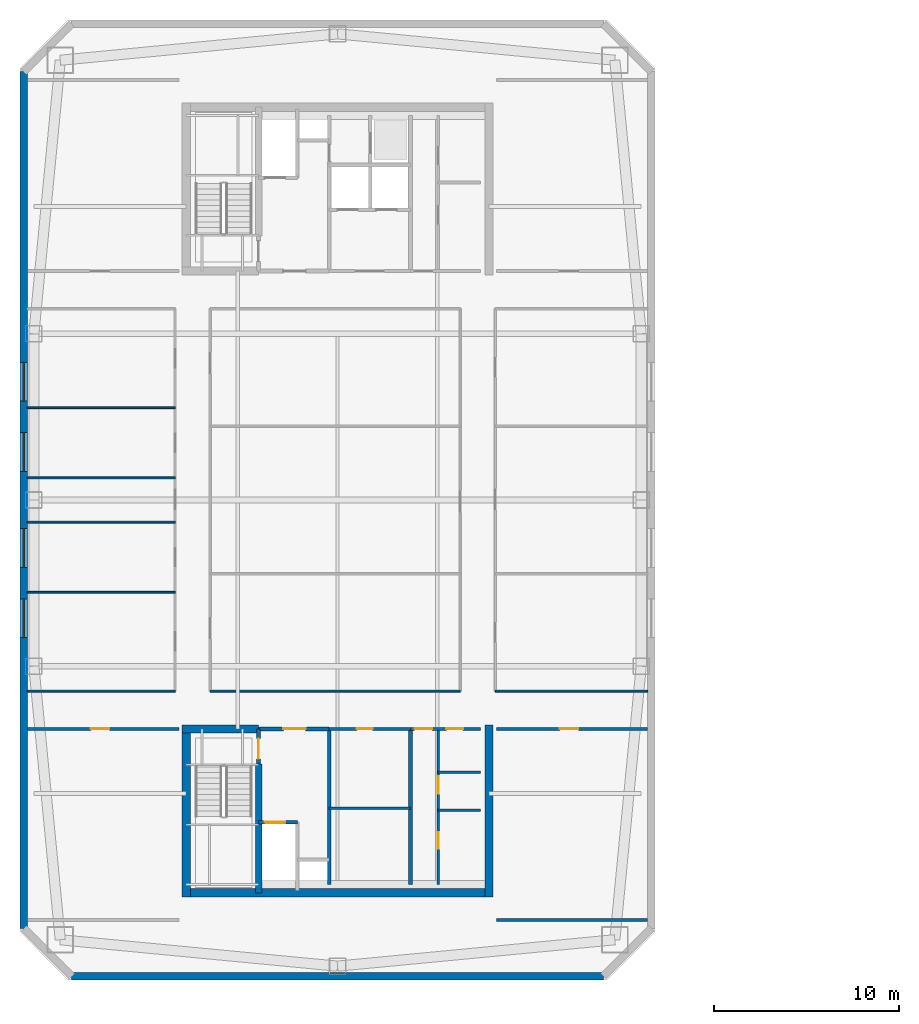
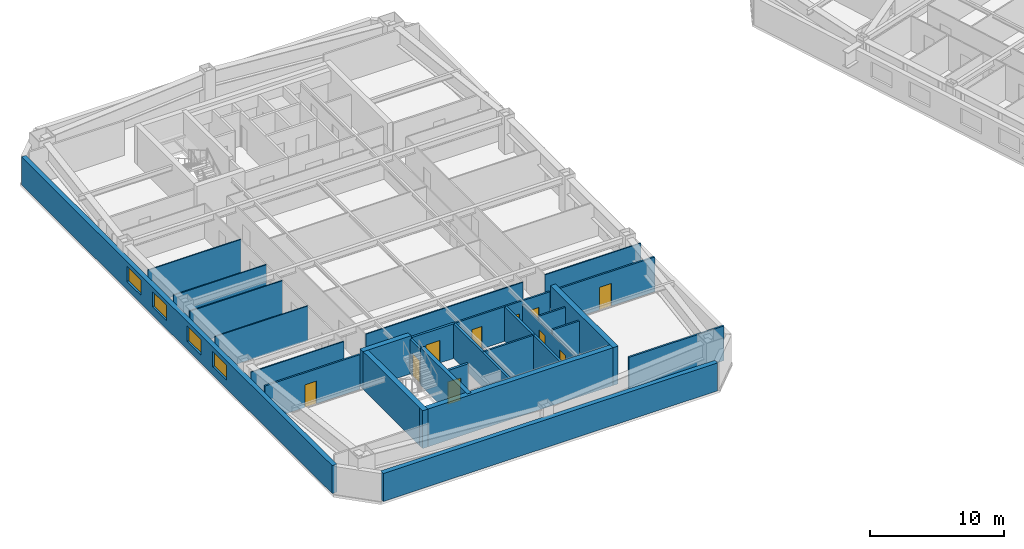
# One storey, part 6 of 15: 28 walls, 10 doors, 4 windows, 14 openings.
"""IFC4 building model written with IfcOpenShell, lengths in metres."""

from ifc_helpers import new_model, si_unit, direction, frame, frame_2d, origin, place, context, subcontext, project, spatial, rectangle, extrude, material, layer, layer_set, type_object, element, fill, save


model = new_model("IFC4")

# Units and contexts
model_context = context("Model", 3, precision=1e-05, world=origin(), true_north=direction((0.0, 1.0)))
body_context = subcontext(model_context, "Body", "Model", "MODEL_VIEW")
ifc_project = project(units=[si_unit("LENGTHUNIT", "METRE"), si_unit("AREAUNIT", "SQUARE_METRE"), si_unit("VOLUMEUNIT", "CUBIC_METRE"), si_unit("PLANEANGLEUNIT", "RADIAN"), si_unit("MASSUNIT", "GRAM", prefix="KILO")], contexts=[model_context])

# Site, building, storey
site_placement = place(None, origin())
site = spatial("IfcSite", under=ifc_project, at=site_placement, CompositionType="ELEMENT")
building_placement = place(site_placement, origin())
building = spatial("IfcBuilding", under=site, at=building_placement, Name="Qiaolan Cultural Towers", CompositionType="ELEMENT")
storey_placement = place(building_placement, frame((0.0, 0.0, 212.75)))
storey = spatial("IfcBuildingStorey", under=building, at=storey_placement, Name="L57", CompositionType="ELEMENT", Elevation=212.75)

# Walls
ifc_material_1 = material(Name="Concrete C50", Category="concrete")
ifc_layer_1 = layer(ifc_material_1, 0.35009765625)
ifc_layer_set_1 = layer_set([ifc_layer_1], Name="Concrete C50")
wall_type_1 = type_object("IfcWallType", Name="WL-CORE-350", PredefinedType="SHEAR", material=ifc_layer_set_1)
wall_1_placement = place(storey_placement, frame((25.719970703125, 19.699951171875, 0.0), z_axis=(0.0, 0.0, 1.0), x_axis=(0.0, -1.0, 0.0)))
element("IfcWall", 1, at=wall_1_placement, inside=storey, type_object=wall_type_1, Name="L57 T1-CS Stair Core Dividing Web", PredefinedType="SHEAR", context=body_context, shape_type="SweptSolid", body=[
    extrude(rectangle(XDim=6.97998046875, YDim=0.35009765625, at=frame_2d((3.489990234375, 0.0))), origin(), (0.0, 0.0, 1.0), 3.449951171875),
])
ifc_material_2 = material(Name="Concrete C50", Category="concrete")
ifc_layer_2 = layer(ifc_material_2, 0.449951171875)
ifc_layer_set_2 = layer_set([ifc_layer_2], Name="Concrete C50")
wall_type_2 = type_object("IfcWallType", Name="WL-CORE-450", PredefinedType="SHEAR", material=ifc_layer_set_2)
wall_2_placement = place(storey_placement, frame((21.574951171875, 12.719970703125, 0.0), z_axis=(0.0, 0.0, 1.0), x_axis=(1.0, 0.0, 0.0)))
element("IfcWall", 2, at=wall_2_placement, inside=storey, type_object=wall_type_2, Name="L57 T1-CS Outer Core Shear Wall", PredefinedType="SHEAR", context=body_context, shape_type="SweptSolid", body=[
    extrude(rectangle(XDim=16.85009765625, YDim=0.449951171875, at=frame_2d((8.425048828125, 0.0))), origin(), (0.0, 0.0, 1.0), 3.449951171875),
])
for number, where, z_axis, x_axis, name in (
    (3, (21.800048828125, 21.824951171875, 0.0), (0.0, 0.0, 1.0), (0.0, -1.0, 0.0), "L57 T1-CS West Core Shear Wall"),
    (4, (38.199951171875, 21.824951171875, 0.0), (0.0, 0.0, 1.0), (0.0, -1.0, 0.0), "L57 T1-CS East Core Shear Wall"),
):
    element("IfcWall", number, at=place(storey_placement, frame(where, z_axis=z_axis, x_axis=x_axis)), inside=storey, type_object=wall_type_2, Name=name, PredefinedType="SHEAR", context=body_context, shape_type="SweptSolid", body=[
        extrude(rectangle(XDim=9.329833984375, YDim=0.449951171875, at=frame_2d((4.6650390625, 0.0))), origin(), (0.0, 0.0, 1.0), 3.449951171875),
    ])
wall_3_placement = place(storey_placement, frame((21.574951171875, 21.60009765625, 0.0), z_axis=(0.0, 0.0, 1.0), x_axis=(1.0, 0.0, 0.0)))
element("IfcWall", 5, at=wall_3_placement, inside=storey, type_object=wall_type_2, Name="L57 T1-CS Stair Front Shear Wall", PredefinedType="SHEAR", context=body_context, shape_type="SweptSolid", body=[
    extrude(rectangle(XDim=4.14501953125, YDim=0.449951171875, at=frame_2d((2.072509765625, 0.0))), origin(), (0.0, 0.0, 1.0), 3.449951171875),
])

# Wall, openings, windows
ifc_material_3 = material(Name="Precast Concrete C50 Honed Stone Pier", Category="masonry")
ifc_layer_3 = layer(ifc_material_3, 0.39990234375)
ifc_layer_set_3 = layer_set([ifc_layer_3], Name="Precast Concrete C50 Honed Stone Pier")
wall_type_3 = type_object("IfcWallType", Name="WL-EXT-PIER-400", PredefinedType="SOLIDWALL", material=ifc_layer_set_3)
wall_4_placement = place(storey_placement, frame((13.0, 10.800048828125, 0.0), z_axis=(0.0, 0.0, 1.0), x_axis=(0.0, 1.0, 0.0)))
wall_4 = element("IfcWall", 6, at=wall_4_placement, inside=storey, type_object=wall_type_3, Name="L57 West Tower Precast Pier Facade Wall F1", PredefinedType="SOLIDWALL", context=body_context, shape_type="SweptSolid", body=[
    extrude(rectangle(XDim=46.39990234375, YDim=0.39990234375, at=frame_2d((23.199951171875, 0.0))), origin(), (0.0, 0.0, 1.0), 2.550048828125),
])
opening_1_placement = place(wall_4_placement, frame((15.75, 0.0, 0.75)))
opening_1 = element("IfcOpeningElement", 7, at=opening_1_placement, cuts=wall_4, Name="Opening W-05", PredefinedType="OPENING", context=body_context, shape_type="SweptSolid", body=[
    extrude(rectangle(XDim=2.10009765625, YDim=1.39990234375, at=frame_2d((1.050048828125, 0.699951171875))), frame((0.0, 0.2099609375, 0.0), z_axis=(0.0, -1.0, 0.0), x_axis=(1.0, 0.0, 0.0)), (0.0, 0.0, 1.0), 0.419921875),
])
opening_2_placement = place(wall_4_placement, frame((19.550048828125, 0.0, 0.75)))
opening_2 = element("IfcOpeningElement", 8, at=opening_2_placement, cuts=wall_4, Name="Opening W-05", PredefinedType="OPENING", context=body_context, shape_type="SweptSolid", body=[
    extrude(rectangle(XDim=2.10009765625, YDim=1.39990234375, at=frame_2d((1.050048828125, 0.699951171875))), frame((0.0, 0.2099609375, 0.0), z_axis=(0.0, -1.0, 0.0), x_axis=(1.0, 0.0, 0.0)), (0.0, 0.0, 1.0), 0.419921875),
])
opening_3_placement = place(wall_4_placement, frame((24.75, 0.0, 0.75)))
opening_3 = element("IfcOpeningElement", 9, at=opening_3_placement, cuts=wall_4, Name="Opening W-05", PredefinedType="OPENING", context=body_context, shape_type="SweptSolid", body=[
    extrude(rectangle(XDim=2.10009765625, YDim=1.39990234375, at=frame_2d((1.050048828125, 0.699951171875))), frame((0.0, 0.2099609375, 0.0), z_axis=(0.0, -1.0, 0.0), x_axis=(1.0, 0.0, 0.0)), (0.0, 0.0, 1.0), 0.419921875),
])
opening_4_placement = place(wall_4_placement, frame((28.550048828125, 0.0, 0.75)))
opening_4 = element("IfcOpeningElement", 10, at=opening_4_placement, cuts=wall_4, Name="Opening W-05", PredefinedType="OPENING", context=body_context, shape_type="SweptSolid", body=[
    extrude(rectangle(XDim=2.10009765625, YDim=1.39990234375, at=frame_2d((1.050048828125, 0.699951171875))), frame((0.0, 0.2099609375, 0.0), z_axis=(0.0, -1.0, 0.0), x_axis=(1.0, 0.0, 0.0)), (0.0, 0.0, 1.0), 0.419921875),
])
ifc_material_4 = material(Name="Thermally Broken Aluminium Triple Low-E Glazing", Category="aluminium")
window_type = type_object("IfcWindowType", Name="WN-CHIC-2100", PartitioningType="SINGLE_PANEL", PredefinedType="WINDOW", material=ifc_material_4)
window_1_placement = place(opening_1_placement, origin())
window_1 = element("IfcWindow", 11, at=window_1_placement, inside=storey, type_object=window_type, Name="L57 T1 W Chicago Bay Window 1", OverallHeight=1.39990234375, OverallWidth=2.10009765625, PartitioningType="TRIPLE_PANEL_VERTICAL", PredefinedType="WINDOW", context=body_context, shape_type="SweptSolid", body=[
    extrude(rectangle(XDim=2.10009765625, YDim=1.39990234375, at=frame_2d((1.050048828125, 0.699951171875))), frame((0.0, 0.030029296875, 0.0), z_axis=(0.0, -1.0, 0.0), x_axis=(1.0, 0.0, 0.0)), (0.0, 0.0, 1.0), 0.06005859375),
])
fill(opening_1, window_1)
window_2_placement = place(opening_2_placement, origin())
window_2 = element("IfcWindow", 12, at=window_2_placement, inside=storey, type_object=window_type, Name="L57 T1 W Chicago Bay Window 2", OverallHeight=1.39990234375, OverallWidth=2.10009765625, PartitioningType="TRIPLE_PANEL_VERTICAL", PredefinedType="WINDOW", context=body_context, shape_type="SweptSolid", body=[
    extrude(rectangle(XDim=2.10009765625, YDim=1.39990234375, at=frame_2d((1.050048828125, 0.699951171875))), frame((0.0, 0.030029296875, 0.0), z_axis=(0.0, -1.0, 0.0), x_axis=(1.0, 0.0, 0.0)), (0.0, 0.0, 1.0), 0.06005859375),
])
fill(opening_2, window_2)
window_3_placement = place(opening_3_placement, origin())
window_3 = element("IfcWindow", 13, at=window_3_placement, inside=storey, type_object=window_type, Name="L57 T1 W Chicago Bay Window 3", OverallHeight=1.39990234375, OverallWidth=2.10009765625, PartitioningType="TRIPLE_PANEL_VERTICAL", PredefinedType="WINDOW", context=body_context, shape_type="SweptSolid", body=[
    extrude(rectangle(XDim=2.10009765625, YDim=1.39990234375, at=frame_2d((1.050048828125, 0.699951171875))), frame((0.0, 0.030029296875, 0.0), z_axis=(0.0, -1.0, 0.0), x_axis=(1.0, 0.0, 0.0)), (0.0, 0.0, 1.0), 0.06005859375),
])
fill(opening_3, window_3)
window_4_placement = place(opening_4_placement, origin())
window_4 = element("IfcWindow", 14, at=window_4_placement, inside=storey, type_object=window_type, Name="L57 T1 W Chicago Bay Window 4", OverallHeight=1.39990234375, OverallWidth=2.10009765625, PartitioningType="TRIPLE_PANEL_VERTICAL", PredefinedType="WINDOW", context=body_context, shape_type="SweptSolid", body=[
    extrude(rectangle(XDim=2.10009765625, YDim=1.39990234375, at=frame_2d((1.050048828125, 0.699951171875))), frame((0.0, 0.030029296875, 0.0), z_axis=(0.0, -1.0, 0.0), x_axis=(1.0, 0.0, 0.0)), (0.0, 0.0, 1.0), 0.06005859375),
])
fill(opening_4, window_4)

# Wall
wall_5_placement = place(storey_placement, frame((44.39990234375, 8.199951171875, 0.0), z_axis=(0.0, 0.0, 1.0), x_axis=(-1.0, 0.0, 0.0)))
element("IfcWall", 15, at=wall_5_placement, inside=storey, type_object=wall_type_3, Name="L57 West Tower Precast Pier Facade Wall F7", PredefinedType="SOLIDWALL", context=body_context, shape_type="SweptSolid", body=[
    extrude(rectangle(XDim=28.7998046875, YDim=0.39990234375, at=frame_2d((14.39990234375, 0.0))), origin(), (0.0, 0.0, 1.0), 2.550048828125),
])

# Wall, opening, door
ifc_material_5 = material(Name="Concrete C35 Fire Wall", Category="concrete")
ifc_layer_4 = layer(ifc_material_5, 0.199951171875)
ifc_layer_set_4 = layer_set([ifc_layer_4], Name="Concrete C35 Fire Wall")
wall_type_4 = type_object("IfcWallType", Name="WL-FIRE-200", PredefinedType="PARTITIONING", material=ifc_layer_set_4)
wall_6_placement = place(storey_placement, frame((25.719970703125, 21.60009765625, 0.0), z_axis=(0.0, 0.0, 1.0), x_axis=(0.0, -1.0, 0.0)))
wall_6 = element("IfcWall", 16, at=wall_6_placement, inside=storey, type_object=wall_type_4, Name="L57 T1-CS Smokeproof Stair Entry Wall", PredefinedType="PARTITIONING", context=body_context, shape_type="SweptSolid", body=[
    extrude(rectangle(XDim=1.900146484375, YDim=0.199951171875, at=frame_2d((0.9501953125, 0.0))), origin(), (0.0, 0.0, 1.0), 3.155029296875),
])
opening_5_placement = place(wall_6_placement, frame((0.52001953125, 0.0, 0.0)))
opening_5 = element("IfcOpeningElement", 17, at=opening_5_placement, cuts=wall_6, Name="Opening FD-04", PredefinedType="OPENING", context=body_context, shape_type="SweptSolid", body=[
    extrude(rectangle(XDim=1.10009765625, YDim=2.050048828125, at=frame_2d((0.550048828125, 1.02490234375))), frame((0.0, 0.10986328125, 0.0), z_axis=(0.0, -1.0, 0.0), x_axis=(1.0, 0.0, 0.0)), (0.0, 0.0, 1.0), 0.219970703125),
])
ifc_material_6 = material(Name="Galvanized Steel Command Fire Door", Category="steel")
door_type_1 = type_object("IfcDoorType", Name="DR-FD90-1100", OperationType="NOTDEFINED", PredefinedType="DOOR", material=ifc_material_6)
door_1_placement = place(opening_5_placement, origin())
door_1 = element("IfcDoor", 18, at=door_1_placement, inside=storey, type_object=door_type_1, Name="L57 ST-W1 Smokeproof Stair Fire Door", OperationType="SINGLE_SWING_LEFT", OverallHeight=2.050048828125, OverallWidth=1.10009765625, PredefinedType="DOOR", context=body_context, shape_type="SweptSolid", body=[
    extrude(rectangle(XDim=1.10009765625, YDim=2.050048828125, at=frame_2d((0.550048828125, 1.02490234375))), frame((0.0, 0.02490234375, 0.0), z_axis=(0.0, -1.0, 0.0), x_axis=(1.0, 0.0, 0.0)), (0.0, 0.0, 1.0), 0.050048828125),
])
fill(opening_5, door_1)

# Wall
wall_7_placement = place(storey_placement, frame((29.550048828125, 21.60009765625, 0.0), z_axis=(0.0, 0.0, 1.0), x_axis=(0.0, -1.0, 0.0)))
element("IfcWall", 19, at=wall_7_placement, inside=storey, type_object=wall_type_4, Name="L57 T1-CS Firefighting Zone Wall", PredefinedType="PARTITIONING", context=body_context, shape_type="SweptSolid", body=[
    extrude(rectangle(XDim=8.43017578125, YDim=0.199951171875, at=frame_2d((4.215087890625, 0.0))), origin(), (0.0, 0.0, 1.0), 3.155029296875),
])

# Wall, opening, door
wall_8_placement = place(storey_placement, frame((25.719970703125, 21.60009765625, 0.0), z_axis=(0.0, 0.0, 1.0), x_axis=(1.0, 0.0, 0.0)))
wall_8 = element("IfcWall", 20, at=wall_8_placement, inside=storey, type_object=wall_type_4, Name="L57 T1-CS Firefighting Lobby Front Wall", PredefinedType="PARTITIONING", context=body_context, shape_type="SweptSolid", body=[
    extrude(rectangle(XDim=3.830078125, YDim=0.199951171875, at=frame_2d((1.9150390625, 0.0))), origin(), (0.0, 0.0, 1.0), 3.155029296875),
])
opening_6_placement = place(wall_8_placement, frame((1.35009765625, 0.0, 0.0)))
opening_6 = element("IfcOpeningElement", 21, at=opening_6_placement, cuts=wall_8, Name="Opening FD-03", PredefinedType="OPENING", context=body_context, shape_type="SweptSolid", body=[
    extrude(rectangle(XDim=1.199951171875, YDim=2.050048828125, at=frame_2d((0.60009765625, 1.02490234375))), frame((0.0, 0.10986328125, 0.0), z_axis=(0.0, -1.0, 0.0), x_axis=(1.0, 0.0, 0.0)), (0.0, 0.0, 1.0), 0.219970703125),
])
ifc_material_7 = material(Name="Galvanized Steel Smokeproof Lobby Fire Door", Category="steel")
door_type_2 = type_object("IfcDoorType", Name="DR-FD90-1200", OperationType="NOTDEFINED", PredefinedType="DOOR", material=ifc_material_7)
door_2_placement = place(opening_6_placement, origin())
door_2 = element("IfcDoor", 22, at=door_2_placement, inside=storey, type_object=door_type_2, Name="L57 FFL-W1 Firefighting Lobby Fire Door", OperationType="SINGLE_SWING_LEFT", OverallHeight=2.050048828125, OverallWidth=1.199951171875, PredefinedType="DOOR", context=body_context, shape_type="SweptSolid", body=[
    extrude(rectangle(XDim=1.199951171875, YDim=2.050048828125, at=frame_2d((0.60009765625, 1.02490234375))), frame((0.0, 0.02490234375, 0.0), z_axis=(0.0, -1.0, 0.0), x_axis=(1.0, 0.0, 0.0)), (0.0, 0.0, 1.0), 0.050048828125),
])
fill(opening_6, door_2)

wall_9_placement = place(storey_placement, frame((25.719970703125, 16.550048828125, 0.0), z_axis=(0.0, 0.0, 1.0), x_axis=(1.0, 0.0, 0.0)))
wall_9 = element("IfcWall", 23, at=wall_9_placement, inside=storey, type_object=wall_type_4, Name="L57 T1-CS Firefighting Shaft Front Wall", PredefinedType="PARTITIONING", context=body_context, shape_type="SweptSolid", body=[
    extrude(rectangle(XDim=2.10009765625, YDim=0.199951171875, at=frame_2d((1.050048828125, 0.0))), origin(), (0.0, 0.0, 1.0), 3.155029296875),
])
opening_7_placement = place(wall_9_placement, frame((0.35009765625, 0.0, 0.0)))
opening_7 = element("IfcOpeningElement", 24, at=opening_7_placement, cuts=wall_9, Name="Opening LD-01", PredefinedType="OPENING", context=body_context, shape_type="SweptSolid", body=[
    extrude(rectangle(XDim=1.10009765625, YDim=2.050048828125, at=frame_2d((0.550048828125, 1.02490234375))), frame((0.0, 0.10986328125, 0.0), z_axis=(0.0, -1.0, 0.0), x_axis=(1.0, 0.0, 0.0)), (0.0, 0.0, 1.0), 0.219970703125),
])
ifc_material_8 = material(Name="Brushed Stainless Steel S30408 Centre-Parting Lift Landing Door", Category="steel")
door_type_3 = type_object("IfcDoorType", Name="DR-LIFT-1100", OperationType="NOTDEFINED", PredefinedType="DOOR", material=ifc_material_8)
door_3_placement = place(opening_7_placement, origin())
door_3 = element("IfcDoor", 25, at=door_3_placement, inside=storey, type_object=door_type_3, Name="L57 FFL-W1 Firefighting Lift Landing Door", OperationType="DOUBLE_DOOR_SLIDING", OverallHeight=2.050048828125, OverallWidth=1.10009765625, PredefinedType="DOOR", context=body_context, shape_type="SweptSolid", body=[
    extrude(rectangle(XDim=1.10009765625, YDim=2.050048828125, at=frame_2d((0.550048828125, 1.02490234375))), frame((0.0, 0.02490234375, 0.0), z_axis=(0.0, -1.0, 0.0), x_axis=(1.0, 0.0, 0.0)), (0.0, 0.0, 1.0), 0.050048828125),
])
fill(opening_7, door_3)

# Walls
wall_10_placement = place(storey_placement, frame((33.949951171875, 21.60009765625, 0.0), z_axis=(0.0, 0.0, 1.0), x_axis=(0.0, -1.0, 0.0)))
element("IfcWall", 26, at=wall_10_placement, inside=storey, type_object=wall_type_4, Name="L57 T1-CS Lift Core East Wall", PredefinedType="PARTITIONING", context=body_context, shape_type="SweptSolid", body=[
    extrude(rectangle(XDim=8.43017578125, YDim=0.199951171875, at=frame_2d((4.215087890625, 0.0))), origin(), (0.0, 0.0, 1.0), 3.155029296875),
])
ifc_material_9 = material(Name="Acoustic Double-Glazed Partition Frame", Category="glass")
ifc_layer_5 = layer(ifc_material_9, 0.10009765625)
ifc_layer_set_5 = layer_set([ifc_layer_5], Name="Acoustic Double-Glazed Partition Frame")
wall_type_5 = type_object("IfcWallType", Name="WL-GLAZED-100", PredefinedType="MOVABLE", material=ifc_layer_set_5)
wall_11_placement = place(storey_placement, frame((13.199951171875, 23.64990234375, 0.0), z_axis=(0.0, 0.0, 1.0), x_axis=(1.0, 0.0, 0.0)))
element("IfcWall", 27, at=wall_11_placement, inside=storey, type_object=wall_type_5, Name="L57 T1 Interior Wall", PredefinedType="MOVABLE", context=body_context, shape_type="SweptSolid", body=[
    extrude(rectangle(XDim=8.0, YDim=0.10009765625, at=frame_2d((4.0, 0.0))), origin(), (0.0, 0.0, 1.0), 3.155029296875),
])
wall_12_placement = place(storey_placement, frame((23.10009765625, 23.64990234375, 0.0), z_axis=(0.0, 0.0, 1.0), x_axis=(1.0, 0.0, 0.0)))
element("IfcWall", 28, at=wall_12_placement, inside=storey, type_object=wall_type_5, Name="L57 T1 Interior Wall", PredefinedType="MOVABLE", context=body_context, shape_type="SweptSolid", body=[
    extrude(rectangle(XDim=13.5498046875, YDim=0.10009765625, at=frame_2d((6.77490234375, 0.0))), origin(), (0.0, 0.0, 1.0), 3.155029296875),
])
wall_13_placement = place(storey_placement, frame((38.550048828125, 23.64990234375, 0.0), z_axis=(0.0, 0.0, 1.0), x_axis=(1.0, 0.0, 0.0)))
element("IfcWall", 29, at=wall_13_placement, inside=storey, type_object=wall_type_5, Name="L57 T1 Interior Wall", PredefinedType="MOVABLE", context=body_context, shape_type="SweptSolid", body=[
    extrude(rectangle(XDim=8.25, YDim=0.10009765625, at=frame_2d((4.125, 0.0))), origin(), (0.0, 0.0, 1.0), 3.155029296875),
])
for number, where, z_axis, x_axis, name in (
    (30, (13.199951171875, 29.0, 0.0), (0.0, 0.0, 1.0), (1.0, 0.0, 0.0), "L57 T1 Interior Wall"),
    (31, (13.199951171875, 32.800048828125, 0.0), (0.0, 0.0, 1.0), (1.0, 0.0, 0.0), "L57 T1 Interior Wall"),
    (32, (13.199951171875, 35.199951171875, 0.0), (0.0, 0.0, 1.0), (1.0, 0.0, 0.0), "L57 T1 Interior Wall"),
    (33, (13.199951171875, 39.0, 0.0), (0.0, 0.0, 1.0), (1.0, 0.0, 0.0), "L57 T1 Interior Wall"),
):
    element("IfcWall", number, at=place(storey_placement, frame(where, z_axis=z_axis, x_axis=x_axis)), inside=storey, type_object=wall_type_5, Name=name, PredefinedType="MOVABLE", context=body_context, shape_type="SweptSolid", body=[
        extrude(rectangle(XDim=8.0, YDim=0.10009765625, at=frame_2d((4.0, 0.0))), origin(), (0.0, 0.0, 1.0), 3.155029296875),
    ])

# Wall, opening, door
ifc_material_10 = material(Name="Autoclaved Aerated Concrete Block B06", Category="concrete")
ifc_layer_6 = layer(ifc_material_10, 0.14990234375)
ifc_layer_set_6 = layer_set([ifc_layer_6], Name="Autoclaved Aerated Concrete Block B06")
wall_type_6 = type_object("IfcWallType", Name="WL-PART-150", PredefinedType="PARTITIONING", material=ifc_layer_set_6)
wall_14_placement = place(storey_placement, frame((29.550048828125, 21.60009765625, 0.0), z_axis=(0.0, 0.0, 1.0), x_axis=(1.0, 0.0, 0.0)))
wall_14 = element("IfcWall", 34, at=wall_14_placement, inside=storey, type_object=wall_type_6, Name="L57 T1-CS Reclaimed Core Room Front Wall", PredefinedType="PARTITIONING", context=body_context, shape_type="SweptSolid", body=[
    extrude(rectangle(XDim=4.39990234375, YDim=0.14990234375, at=frame_2d((2.199951171875, 0.0))), origin(), (0.0, 0.0, 1.0), 3.155029296875),
])
opening_8_placement = place(wall_14_placement, frame((1.5, 0.0, 0.0)))
opening_8 = element("IfcOpeningElement", 35, at=opening_8_placement, cuts=wall_14, Name="Opening ID-09", PredefinedType="OPENING", context=body_context, shape_type="SweptSolid", body=[
    extrude(rectangle(XDim=0.85009765625, YDim=2.050048828125, at=frame_2d((0.425048828125, 1.02490234375))), frame((0.0, 0.0849609375, 0.0), z_axis=(0.0, -1.0, 0.0), x_axis=(1.0, 0.0, 0.0)), (0.0, 0.0, 1.0), 0.169921875),
])
ifc_material_11 = material(Name="Moisture-Resistant Laminate Utility Door", Category="timber")
door_type_4 = type_object("IfcDoorType", Name="DR-INT-850", OperationType="NOTDEFINED", PredefinedType="DOOR", material=ifc_material_11)
door_4_placement = place(opening_8_placement, origin())
door_4 = element("IfcDoor", 36, at=door_4_placement, inside=storey, type_object=door_type_4, Name="L57 Focus Pod Room Door", OperationType="SINGLE_SWING_LEFT", OverallHeight=2.050048828125, OverallWidth=0.85009765625, PredefinedType="DOOR", context=body_context, shape_type="SweptSolid", body=[
    extrude(rectangle(XDim=0.85009765625, YDim=2.050048828125, at=frame_2d((0.425048828125, 1.02490234375))), frame((0.0, 0.02490234375, 0.0), z_axis=(0.0, -1.0, 0.0), x_axis=(1.0, 0.0, 0.0)), (0.0, 0.0, 1.0), 0.050048828125),
])
fill(opening_8, door_4)

# Wall
wall_15_placement = place(storey_placement, frame((29.550048828125, 17.300048828125, 0.0), z_axis=(0.0, 0.0, 1.0), x_axis=(1.0, 0.0, 0.0)))
element("IfcWall", 37, at=wall_15_placement, inside=storey, type_object=wall_type_6, Name="L57 T1-CS Reclaimed Room Subdivider", PredefinedType="PARTITIONING", context=body_context, shape_type="SweptSolid", body=[
    extrude(rectangle(XDim=4.39990234375, YDim=0.14990234375, at=frame_2d((2.199951171875, 0.0))), origin(), (0.0, 0.0, 1.0), 3.155029296875),
])

# Wall, openings, doors
wall_16_placement = place(storey_placement, frame((33.949951171875, 21.60009765625, 0.0), z_axis=(0.0, 0.0, 1.0), x_axis=(1.0, 0.0, 0.0)))
wall_16 = element("IfcWall", 38, at=wall_16_placement, inside=storey, type_object=wall_type_6, Name="L57 T1-CS Sanitary Core Front Wall", PredefinedType="PARTITIONING", context=body_context, shape_type="SweptSolid", body=[
    extrude(rectangle(XDim=3.800048828125, YDim=0.14990234375, at=frame_2d((1.89990234375, 0.0))), origin(), (0.0, 0.0, 1.0), 3.155029296875),
])
opening_9_placement = place(wall_16_placement, frame((0.219970703125, 0.0, 0.0)))
opening_9 = element("IfcOpeningElement", 39, at=opening_9_placement, cuts=wall_16, Name="Opening ID-05", PredefinedType="OPENING", context=body_context, shape_type="SweptSolid", body=[
    extrude(rectangle(XDim=0.949951171875, YDim=2.050048828125, at=frame_2d((0.47509765625, 1.02490234375))), frame((0.0, 0.0849609375, 0.0), z_axis=(0.0, -1.0, 0.0), x_axis=(1.0, 0.0, 0.0)), (0.0, 0.0, 1.0), 0.169921875),
])
opening_10_placement = place(wall_16_placement, frame((1.949951171875, 0.0, 0.0)))
opening_10 = element("IfcOpeningElement", 40, at=opening_10_placement, cuts=wall_16, Name="Opening ID-06", PredefinedType="OPENING", context=body_context, shape_type="SweptSolid", body=[
    extrude(rectangle(XDim=0.89990234375, YDim=2.050048828125, at=frame_2d((0.449951171875, 1.02490234375))), frame((0.0, 0.0849609375, 0.0), z_axis=(0.0, -1.0, 0.0), x_axis=(1.0, 0.0, 0.0)), (0.0, 0.0, 1.0), 0.169921875),
])
ifc_material_12 = material(Name="Fire-Rated Laminate Core Service Door", Category="timber")
door_type_5 = type_object("IfcDoorType", Name="DR-INT-900", OperationType="NOTDEFINED", PredefinedType="DOOR", material=ifc_material_12)
door_5_placement = place(opening_10_placement, origin())
door_5 = element("IfcDoor", 41, at=door_5_placement, inside=storey, type_object=door_type_5, Name="L57 Core Tea Pantry Door", OperationType="SINGLE_SWING_RIGHT", OverallHeight=2.050048828125, OverallWidth=0.89990234375, PredefinedType="DOOR", context=body_context, shape_type="SweptSolid", body=[
    extrude(rectangle(XDim=0.89990234375, YDim=2.050048828125, at=frame_2d((0.449951171875, 1.02490234375))), frame((0.0, 0.02490234375, 0.0), z_axis=(0.0, -1.0, 0.0), x_axis=(1.0, 0.0, 0.0)), (0.0, 0.0, 1.0), 0.050048828125),
])
fill(opening_10, door_5)
ifc_material_13 = material(Name="Fire-Rated Laminate Accessible Core Door", Category="timber")
door_type_6 = type_object("IfcDoorType", Name="DR-INT-950", OperationType="NOTDEFINED", PredefinedType="DOOR", material=ifc_material_13)
door_6_placement = place(opening_9_placement, origin())
door_6 = element("IfcDoor", 42, at=door_6_placement, inside=storey, type_object=door_type_6, Name="L57 Sanitary Passage Door", OperationType="SINGLE_SWING_LEFT", OverallHeight=2.050048828125, OverallWidth=0.949951171875, PredefinedType="DOOR", context=body_context, shape_type="SweptSolid", body=[
    extrude(rectangle(XDim=0.949951171875, YDim=2.050048828125, at=frame_2d((0.47509765625, 1.02490234375))), frame((0.0, 0.02490234375, 0.0), z_axis=(0.0, -1.0, 0.0), x_axis=(1.0, 0.0, 0.0)), (0.0, 0.0, 1.0), 0.050048828125),
])
fill(opening_9, door_6)

wall_17_placement = place(storey_placement, frame((35.449951171875, 21.60009765625, 0.0), z_axis=(0.0, 0.0, 1.0), x_axis=(0.0, -1.0, 0.0)))
wall_17 = element("IfcWall", 43, at=wall_17_placement, inside=storey, type_object=wall_type_6, Name="L57 T1-CS Sanitary Corridor Wall", PredefinedType="PARTITIONING", context=body_context, shape_type="SweptSolid", body=[
    extrude(rectangle(XDim=8.43017578125, YDim=0.14990234375, at=frame_2d((4.215087890625, 0.0))), origin(), (0.0, 0.0, 1.0), 2.794921875),
])
opening_11_placement = place(wall_17_placement, frame((2.550048828125, 0.0, 0.0)))
opening_11 = element("IfcOpeningElement", 44, at=opening_11_placement, cuts=wall_17, Name="Opening ID-05", PredefinedType="OPENING", context=body_context, shape_type="SweptSolid", body=[
    extrude(rectangle(XDim=0.949951171875, YDim=2.050048828125, at=frame_2d((0.47509765625, 1.02490234375))), frame((0.0, 0.0849609375, 0.0), z_axis=(0.0, -1.0, 0.0), x_axis=(1.0, 0.0, 0.0)), (0.0, 0.0, 1.0), 0.169921875),
])
opening_12_placement = place(wall_17_placement, frame((5.60009765625, 0.0, 0.0)))
opening_12 = element("IfcOpeningElement", 45, at=opening_12_placement, cuts=wall_17, Name="Opening ID-06", PredefinedType="OPENING", context=body_context, shape_type="SweptSolid", body=[
    extrude(rectangle(XDim=0.89990234375, YDim=2.050048828125, at=frame_2d((0.449951171875, 1.02490234375))), frame((0.0, 0.0849609375, 0.0), z_axis=(0.0, -1.0, 0.0), x_axis=(1.0, 0.0, 0.0)), (0.0, 0.0, 1.0), 0.169921875),
])
door_7_placement = place(opening_12_placement, origin())
door_7 = element("IfcDoor", 46, at=door_7_placement, inside=storey, type_object=door_type_5, Name="L57 Staff Restroom Door", OperationType="SINGLE_SWING_RIGHT", OverallHeight=2.050048828125, OverallWidth=0.89990234375, PredefinedType="DOOR", context=body_context, shape_type="SweptSolid", body=[
    extrude(rectangle(XDim=0.89990234375, YDim=2.050048828125, at=frame_2d((0.449951171875, 1.02490234375))), frame((0.0, 0.02490234375, 0.0), z_axis=(0.0, -1.0, 0.0), x_axis=(1.0, 0.0, 0.0)), (0.0, 0.0, 1.0), 0.050048828125),
])
fill(opening_12, door_7)
door_8_placement = place(opening_11_placement, origin())
door_8 = element("IfcDoor", 47, at=door_8_placement, inside=storey, type_object=door_type_6, Name="L57 Accessible Washroom Door", OperationType="SINGLE_SWING_LEFT", OverallHeight=2.050048828125, OverallWidth=0.949951171875, PredefinedType="DOOR", context=body_context, shape_type="SweptSolid", body=[
    extrude(rectangle(XDim=0.949951171875, YDim=2.050048828125, at=frame_2d((0.47509765625, 1.02490234375))), frame((0.0, 0.02490234375, 0.0), z_axis=(0.0, -1.0, 0.0), x_axis=(1.0, 0.0, 0.0)), (0.0, 0.0, 1.0), 0.050048828125),
])
fill(opening_11, door_8)

# Walls
for number, where, z_axis, x_axis, name in (
    (48, (35.449951171875, 17.199951171875, 0.0), (0.0, 0.0, 1.0), (1.0, 0.0, 0.0), "L57 T1-CS Restroom Split Wall"),
    (49, (35.449951171875, 19.25, 0.0), (0.0, 0.0, 1.0), (1.0, 0.0, 0.0), "L57 T1-CS Core Pantry Wall"),
):
    element("IfcWall", number, at=place(storey_placement, frame(where, z_axis=z_axis, x_axis=x_axis)), inside=storey, type_object=wall_type_6, Name=name, PredefinedType="PARTITIONING", context=body_context, shape_type="SweptSolid", body=[
        extrude(rectangle(XDim=2.300048828125, YDim=0.14990234375, at=frame_2d((1.14990234375, 0.0))), origin(), (0.0, 0.0, 1.0), 3.155029296875),
    ])

# Wall, opening, door
wall_18_placement = place(storey_placement, frame((13.199951171875, 21.60009765625, 0.0), z_axis=(0.0, 0.0, 1.0), x_axis=(1.0, 0.0, 0.0)))
wall_18 = element("IfcWall", 50, at=wall_18_placement, inside=storey, type_object=wall_type_6, Name="L57 T1 Flank Front FLK-SW", PredefinedType="PARTITIONING", context=body_context, shape_type="SweptSolid", body=[
    extrude(rectangle(XDim=8.199951171875, YDim=0.14990234375, at=frame_2d((4.10009765625, 0.0))), origin(), (0.0, 0.0, 1.0), 3.155029296875),
])
opening_13_placement = place(wall_18_placement, frame((3.444091796875, 0.0, 0.0)))
opening_13 = element("IfcOpeningElement", 51, at=opening_13_placement, cuts=wall_18, Name="Opening ID-04", PredefinedType="OPENING", context=body_context, shape_type="SweptSolid", body=[
    extrude(rectangle(XDim=1.0, YDim=2.050048828125, at=frame_2d((0.5, 1.02490234375))), frame((0.0, 0.0849609375, 0.0), z_axis=(0.0, -1.0, 0.0), x_axis=(1.0, 0.0, 0.0)), (0.0, 0.0, 1.0), 0.169921875),
])
ifc_material_14 = material(Name="Oak Veneer Acoustic Office Door", Category="timber")
door_type_7 = type_object("IfcDoorType", Name="DR-INT-1000", OperationType="NOTDEFINED", PredefinedType="DOOR", material=ifc_material_14)
door_9_placement = place(opening_13_placement, origin())
door_9 = element("IfcDoor", 52, at=door_9_placement, inside=storey, type_object=door_type_7, Name="L57 T1 Corner Studio Door", OperationType="SINGLE_SWING_LEFT", OverallHeight=2.050048828125, OverallWidth=1.0, PredefinedType="DOOR", context=body_context, shape_type="SweptSolid", body=[
    extrude(rectangle(XDim=1.0, YDim=2.050048828125, at=frame_2d((0.5, 1.02490234375))), frame((0.0, 0.02490234375, 0.0), z_axis=(0.0, -1.0, 0.0), x_axis=(1.0, 0.0, 0.0)), (0.0, 0.0, 1.0), 0.050048828125),
])
fill(opening_13, door_9)

# Wall
wall_19_placement = place(storey_placement, frame((38.60009765625, 11.25, 0.0), z_axis=(0.0, 0.0, 1.0), x_axis=(1.0, 0.0, 0.0)))
element("IfcWall", 53, at=wall_19_placement, inside=storey, type_object=wall_type_6, Name="L57 T1 Flank Wall FLK-SE", PredefinedType="PARTITIONING", context=body_context, shape_type="SweptSolid", body=[
    extrude(rectangle(XDim=8.199951171875, YDim=0.14990234375, at=frame_2d((4.10009765625, 0.0))), origin(), (0.0, 0.0, 1.0), 3.155029296875),
])

# Wall, opening, door
wall_20_placement = place(storey_placement, frame((38.60009765625, 21.60009765625, 0.0), z_axis=(0.0, 0.0, 1.0), x_axis=(1.0, 0.0, 0.0)))
wall_20 = element("IfcWall", 54, at=wall_20_placement, inside=storey, type_object=wall_type_6, Name="L57 T1 Flank Front FLK-SE", PredefinedType="PARTITIONING", context=body_context, shape_type="SweptSolid", body=[
    extrude(rectangle(XDim=8.199951171875, YDim=0.14990234375, at=frame_2d((4.10009765625, 0.0))), origin(), (0.0, 0.0, 1.0), 3.155029296875),
])
opening_14_placement = place(wall_20_placement, frame((3.444091796875, 0.0, 0.0)))
opening_14 = element("IfcOpeningElement", 55, at=opening_14_placement, cuts=wall_20, Name="Opening ID-04", PredefinedType="OPENING", context=body_context, shape_type="SweptSolid", body=[
    extrude(rectangle(XDim=1.0, YDim=2.050048828125, at=frame_2d((0.5, 1.02490234375))), frame((0.0, 0.0849609375, 0.0), z_axis=(0.0, -1.0, 0.0), x_axis=(1.0, 0.0, 0.0)), (0.0, 0.0, 1.0), 0.169921875),
])
door_10_placement = place(opening_14_placement, origin())
door_10 = element("IfcDoor", 56, at=door_10_placement, inside=storey, type_object=door_type_7, Name="L57 T1 Corner Studio Door", OperationType="SINGLE_SWING_LEFT", OverallHeight=2.050048828125, OverallWidth=1.0, PredefinedType="DOOR", context=body_context, shape_type="SweptSolid", body=[
    extrude(rectangle(XDim=1.0, YDim=2.050048828125, at=frame_2d((0.5, 1.02490234375))), frame((0.0, 0.02490234375, 0.0), z_axis=(0.0, -1.0, 0.0), x_axis=(1.0, 0.0, 0.0)), (0.0, 0.0, 1.0), 0.050048828125),
])
fill(opening_14, door_10)

save(model, "model.ifc")
